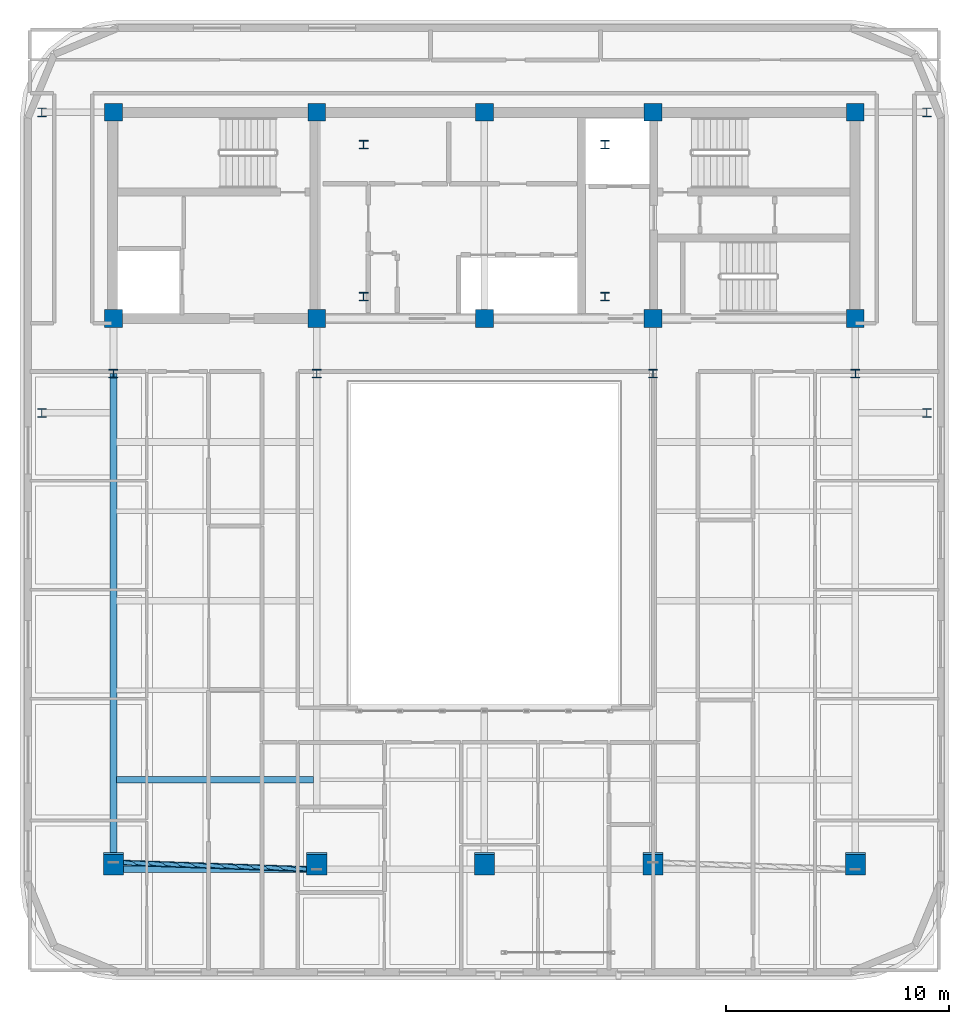
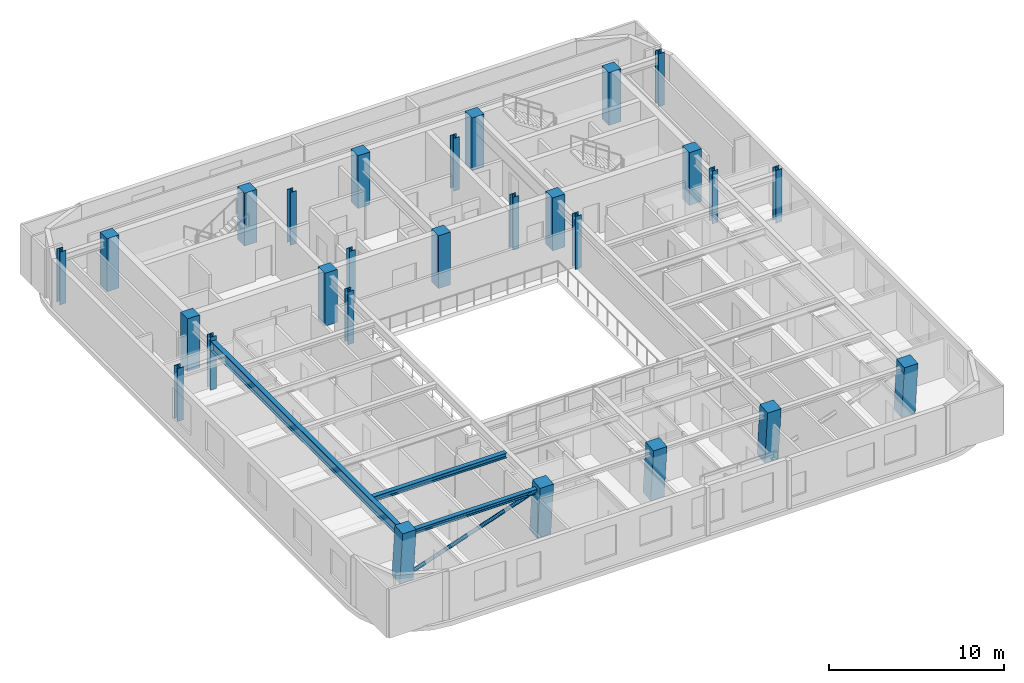
# One storey, part 1 of 14: 27 columns, 3 beams, 1 member.
"""IFC4 building model written with IfcOpenShell, lengths in metres."""

from ifc_helpers import new_model, si_unit, direction, frame, origin, origin_2d, place, context, subcontext, project, spatial, rectangle, hollow_circle, i_section, extrude, material, material_profile, profile_set, type_object, element, save


model = new_model("IFC4")

# Units and contexts
model_context = context("Model", 3, precision=1e-05, world=origin(), true_north=direction((0.0, 1.0)))
body_context = subcontext(model_context, "Body", "Model", "MODEL_VIEW")
ifc_project = project(units=[si_unit("LENGTHUNIT", "METRE"), si_unit("AREAUNIT", "SQUARE_METRE"), si_unit("VOLUMEUNIT", "CUBIC_METRE"), si_unit("PLANEANGLEUNIT", "RADIAN"), si_unit("MASSUNIT", "GRAM", prefix="KILO")], contexts=[model_context])

# Site, building, storey
site_placement = place(None, origin())
site = spatial("IfcSite", under=ifc_project, at=site_placement, CompositionType="ELEMENT")
building_placement = place(site_placement, origin())
building = spatial("IfcBuilding", under=site, at=building_placement, Name="Zarnavel Station Tower", CompositionType="ELEMENT")
storey_placement = place(building_placement, frame((0.0, 0.0, 251.0)))
storey = spatial("IfcBuildingStorey", under=building, at=storey_placement, Name="L68", CompositionType="ELEMENT", Elevation=251.0)

# Columns
ifc_material_1 = material(Name="Steel S355J2", Category="steel")
ifc_material_profile_1 = material_profile(ifc_material_1, i_section(OverallWidth=0.407958984375, OverallDepth=0.39990234375, WebThickness=0.02490234375, FlangeThickness=0.0390625, FilletRadius=0.014892578125, at=origin_2d()), Name="HD400x287")
ifc_profile_set_1 = profile_set([ifc_material_profile_1], Name="Steel S355J2")
column_type_1 = type_object("IfcColumnType", Name="EC_HD287", PredefinedType="COLUMN", material=ifc_profile_set_1)
for number, where, z_axis, x_axis, name in (
    (1, (9.0, 23.60009765625, 0.0), (0.0, 0.0, 1.0), (1.0, 0.0, 0.0), "L68 Inner Wing Spine Column 1-1"),
    (2, (9.0, 37.050048828125, 0.0), (0.0, 0.0, 1.0), (1.0, 0.0, 0.0), "L68 Inner Wing Spine Column 1-2"),
    (3, (48.60009765625, 23.60009765625, 0.0), (0.0, 0.0, 1.0), (1.0, 0.0, 0.0), "L68 Inner Wing Spine Column 2-1"),
    (4, (48.60009765625, 37.050048828125, 0.0), (0.0, 0.0, 1.0), (1.0, 0.0, 0.0), "L68 Inner Wing Spine Column 2-2"),
):
    element("IfcColumn", number, at=place(storey_placement, frame(where, z_axis=z_axis, x_axis=x_axis)), inside=storey, type_object=column_type_1, Name=name, PredefinedType="COLUMN", context=body_context, shape_type="SweptSolid", body=[
        extrude(i_section(OverallWidth=0.407958984375, OverallDepth=0.39990234375, WebThickness=0.02490234375, FlangeThickness=0.0390625, FilletRadius=0.014892578125, at=origin_2d()), origin(), (0.0, 0.0, 1.0), 3.699951171875),
    ])
ifc_material_2 = material(Name="Steel S355J2", Category="steel")
ifc_material_profile_2 = material_profile(ifc_material_2, i_section(OverallWidth=0.39501953125, OverallDepth=0.3798828125, WebThickness=0.018798828125, FlangeThickness=0.0302734375, FilletRadius=0.014892578125, at=origin_2d()), Name="HD400x237")
ifc_profile_set_2 = profile_set([ifc_material_profile_2], Name="Steel S355J2")
column_type_2 = type_object("IfcColumnType", Name="IC_HD237", PredefinedType="COLUMN", material=ifc_profile_set_2)
for number, where, z_axis, x_axis, name in (
    (5, (23.39990234375, 28.800048828125, 0.0), (0.0, 0.0, 1.0), (1.0, 0.0, 0.0), "L68 Mast Spine Column 1"),
    (6, (34.199951171875, 28.800048828125, 0.0), (0.0, 0.0, 1.0), (1.0, 0.0, 0.0), "L68 Mast Spine Column 2"),
    (7, (34.199951171875, 35.60009765625, 0.0), (0.0, 0.0, 1.0), (1.0, 0.0, 0.0), "L68 Mast Spine Column 3"),
    (8, (23.39990234375, 35.60009765625, 0.0), (0.0, 0.0, 1.0), (1.0, 0.0, 0.0), "L68 Mast Spine Column 4"),
    (9, (12.199951171875, 25.35009765625, 0.0), (0.0, 0.0, 1.0), (1.0, 0.0, 0.0), "L68 Inner Spine Column 1"),
    (10, (21.300048828125, 25.35009765625, 0.0), (0.0, 0.0, 1.0), (1.0, 0.0, 0.0), "L68 Inner Spine Column 2"),
    (11, (36.35009765625, 25.35009765625, 0.0), (0.0, 0.0, 1.0), (1.0, 0.0, 0.0), "L68 Inner Spine Column 4"),
    (12, (45.39990234375, 25.35009765625, 0.0), (0.0, 0.0, 1.0), (1.0, 0.0, 0.0), "L68 Inner Spine Column 5"),
):
    element("IfcColumn", number, at=place(storey_placement, frame(where, z_axis=z_axis, x_axis=x_axis)), inside=storey, type_object=column_type_2, Name=name, PredefinedType="COLUMN", context=body_context, shape_type="SweptSolid", body=[
        extrude(i_section(OverallWidth=0.39501953125, OverallDepth=0.3798828125, WebThickness=0.018798828125, FlangeThickness=0.0302734375, FilletRadius=0.014892578125, at=origin_2d()), origin(), (0.0, 0.0, 1.0), 3.699951171875),
    ])
ifc_material_3 = material(Name="Concrete C45/55", Category="concrete")
ifc_material_profile_3 = material_profile(ifc_material_3, rectangle(XDim=0.800048828125, YDim=0.800048828125, at=origin_2d()), Name="RC800x800")
ifc_profile_set_3 = profile_set([ifc_material_profile_3], Name="Concrete C45/55")
column_type_3 = type_object("IfcColumnType", Name="IC_RC800", PredefinedType="COLUMN", material=ifc_profile_set_3)
for number, where, z_axis, x_axis, name in (
    (13, (12.199951171875, 27.820068359375, 0.0), (0.0, 0.0, 1.0), (1.0, 0.0, 0.0), "L68 Core Spine Column 1-1"),
    (14, (12.199951171875, 37.050048828125, 0.0), (0.0, 0.0, 1.0), (1.0, 0.0, 0.0), "L68 Core Spine Column 1-2"),
    (15, (21.300048828125, 27.820068359375, 0.0), (0.0, 0.0, 1.0), (1.0, 0.0, 0.0), "L68 Core Spine Column 2-1"),
    (16, (21.300048828125, 37.050048828125, 0.0), (0.0, 0.0, 1.0), (1.0, 0.0, 0.0), "L68 Core Spine Column 2-2"),
    (17, (28.800048828125, 27.820068359375, 0.0), (0.0, 0.0, 1.0), (1.0, 0.0, 0.0), "L68 Core Spine Column 3-1"),
    (18, (28.800048828125, 37.050048828125, 0.0), (0.0, 0.0, 1.0), (1.0, 0.0, 0.0), "L68 Core Spine Column 3-2"),
    (19, (36.35009765625, 27.820068359375, 0.0), (0.0, 0.0, 1.0), (1.0, 0.0, 0.0), "L68 Core Spine Column 4-1"),
    (20, (36.35009765625, 37.050048828125, 0.0), (0.0, 0.0, 1.0), (1.0, 0.0, 0.0), "L68 Core Spine Column 4-2"),
    (21, (45.39990234375, 27.820068359375, 0.0), (0.0, 0.0, 1.0), (1.0, 0.0, 0.0), "L68 Core Spine Column 5-1"),
    (22, (45.39990234375, 37.050048828125, 0.0), (0.0, 0.0, 1.0), (1.0, 0.0, 0.0), "L68 Core Spine Column 5-2"),
):
    element("IfcColumn", number, at=place(storey_placement, frame(where, z_axis=z_axis, x_axis=x_axis)), inside=storey, type_object=column_type_3, Name=name, PredefinedType="COLUMN", context=body_context, shape_type="SweptSolid", body=[
        extrude(rectangle(XDim=0.800048828125, YDim=0.800048828125, at=origin_2d()), origin(), (0.0, 0.0, 1.0), 3.699951171875),
    ])
ifc_material_4 = material(Name="Concrete C50/60", Category="concrete")
ifc_material_profile_4 = material_profile(ifc_material_4, rectangle(XDim=0.89990234375, YDim=0.89990234375, at=origin_2d()), Name="RC900x900")
ifc_profile_set_4 = profile_set([ifc_material_profile_4], Name="Concrete C50/60")
column_type_4 = type_object("IfcColumnType", Name="MC_RC900", PredefinedType="COLUMN", material=ifc_profile_set_4)
for number, where, z_axis, x_axis, name in (
    (23, (12.199951171875, 3.482421875, 0.0), (0.0, -0.090227632116, 0.995921168769), (1.0, 0.0, 0.0), "L68 Raked South Mega-Column 1"),
    (24, (21.300048828125, 3.482421875, 0.0), (0.0, -0.090227632116, 0.995921168769), (1.0, 0.0, 0.0), "L68 Raked South Mega-Column 2"),
    (25, (28.800048828125, 3.482421875, 0.0), (0.0, -0.090227632116, 0.995921168769), (1.0, 0.0, 0.0), "L68 Raked South Mega-Column 3"),
    (26, (36.35009765625, 3.482421875, 0.0), (0.0, -0.090227632116, 0.995921168769), (1.0, 0.0, 0.0), "L68 Raked South Mega-Column 4"),
    (27, (45.39990234375, 3.482421875, 0.0), (0.0, -0.090227632116, 0.995921168769), (1.0, 0.0, 0.0), "L68 Raked South Mega-Column 5"),
):
    element("IfcColumn", number, at=place(storey_placement, frame(where, z_axis=z_axis, x_axis=x_axis)), inside=storey, type_object=column_type_4, Name=name, PredefinedType="COLUMN", context=body_context, shape_type="SweptSolid", body=[
        extrude(rectangle(XDim=0.89990234375, YDim=0.89990234375, at=origin_2d()), origin(), (0.0, 0.0, 1.0), 3.715087890625),
    ])

# Member
ifc_material_5 = material(Name="Steel S355J2", Category="steel")
ifc_material_profile_5 = material_profile(ifc_material_5, hollow_circle(Radius=0.122314453125, WallThickness=0.010009765625, at=origin_2d()), Name="CHS244.5x10")
ifc_profile_set_5 = profile_set([ifc_material_profile_5], Name="Steel S355J2")
member_type = type_object("IfcMemberType", Name="DB_EXT_CHS245", PredefinedType="BRACE", material=ifc_profile_set_5)
member_placement = place(storey_placement, frame((12.199951171875, 3.482421875, 0.0), z_axis=(0.935603439572, -0.03187788722, 0.351610585972), x_axis=(0.034052247375, 0.999420054056, 0.0)))
element("IfcMember", 28, at=member_placement, inside=storey, type_object=member_type, Name="L68 Persian Exterior Diagonal Frame Brace 1", PredefinedType="BRACE", context=body_context, shape_type="SweptSolid", body=[
    extrude(hollow_circle(Radius=0.122314453125, WallThickness=0.010009765625, at=origin_2d()), origin(), (0.0, 0.0, 1.0), 9.7265625),
])

# Beams
ifc_material_6 = material(Name="Steel S355J2", Category="steel")
ifc_material_profile_6 = material_profile(ifc_material_6, i_section(OverallWidth=0.300048828125, OverallDepth=0.320068359375, WebThickness=0.011474609375, FlangeThickness=0.0205078125, FilletRadius=0.027099609375, at=origin_2d()), Name="HEB320")
ifc_profile_set_6 = profile_set([ifc_material_profile_6], Name="Steel S355J2")
beam_type_1 = type_object("IfcBeamType", Name="EB_HEB320", PredefinedType="SPANDREL", material=ifc_profile_set_6)
beam_1_placement = place(storey_placement, frame((12.199951171875, 3.17236328125, 3.260009765625), z_axis=(1.0, 0.0, 0.0), x_axis=(0.0, 1.0, 0.0)))
element("IfcBeam", 29, at=beam_1_placement, inside=storey, type_object=beam_type_1, Name="L68 South Raked Spandrel 1", PredefinedType="SPANDREL", context=body_context, shape_type="SweptSolid", body=[
    extrude(i_section(OverallWidth=0.300048828125, OverallDepth=0.320068359375, WebThickness=0.011474609375, FlangeThickness=0.0205078125, FilletRadius=0.027099609375, at=origin_2d()), origin(), (0.0, 0.0, 1.0), 9.10009765625),
])
ifc_material_7 = material(Name="Steel S355J2", Category="steel")
ifc_material_profile_7 = material_profile(ifc_material_7, i_section(OverallWidth=0.300048828125, OverallDepth=0.35009765625, WebThickness=0.010009765625, FlangeThickness=0.017578125, FilletRadius=0.027099609375, at=origin_2d()), Name="HEA360")
ifc_profile_set_7 = profile_set([ifc_material_profile_7], Name="Steel S355J2")
beam_type_2 = type_object("IfcBeamType", Name="FB_HEA360", PredefinedType="BEAM", material=ifc_profile_set_7)
beam_2_placement = place(storey_placement, frame((12.344970703125, 7.177001953125, 3.2451171875), z_axis=(1.0, 0.0, 0.0), x_axis=(0.0, 1.0, 0.0)))
element("IfcBeam", 30, at=beam_2_placement, inside=storey, type_object=beam_type_2, Name="L68 West Bay Beam 1", PredefinedType="BEAM", context=body_context, shape_type="SweptSolid", body=[
    extrude(i_section(OverallWidth=0.300048828125, OverallDepth=0.35009765625, WebThickness=0.010009765625, FlangeThickness=0.017578125, FilletRadius=0.027099609375, at=origin_2d()), origin(), (0.0, 0.0, 1.0), 8.81005859375),
])
ifc_material_8 = material(Name="Steel S355J2", Category="steel")
ifc_material_profile_8 = material_profile(ifc_material_8, i_section(OverallWidth=0.300048828125, OverallDepth=0.699951171875, WebThickness=0.01708984375, FlangeThickness=0.031982421875, FilletRadius=0.027099609375, at=origin_2d()), Name="HEB700")
ifc_profile_set_8 = profile_set([ifc_material_profile_8], Name="Steel S355J2")
beam_type_3 = type_object("IfcBeamType", Name="FG_HEB700", PredefinedType="USERDEFINED", material=ifc_profile_set_8)
beam_3_placement = place(storey_placement, frame((12.199951171875, 3.17236328125, 3.070068359375), z_axis=(0.0, 1.0, 0.0), x_axis=(-1.0, 0.0, 0.0)))
element("IfcBeam", 31, at=beam_3_placement, inside=storey, type_object=beam_type_3, Name="L68 South-Zone NS Girder 1", ObjectType="GIRDER", PredefinedType="USERDEFINED", context=body_context, shape_type="SweptSolid", body=[
    extrude(i_section(OverallWidth=0.300048828125, OverallDepth=0.699951171875, WebThickness=0.01708984375, FlangeThickness=0.031982421875, FilletRadius=0.027099609375, at=origin_2d()), origin(), (0.0, 0.0, 1.0), 22.177734375),
])

save(model, "model.ifc")
